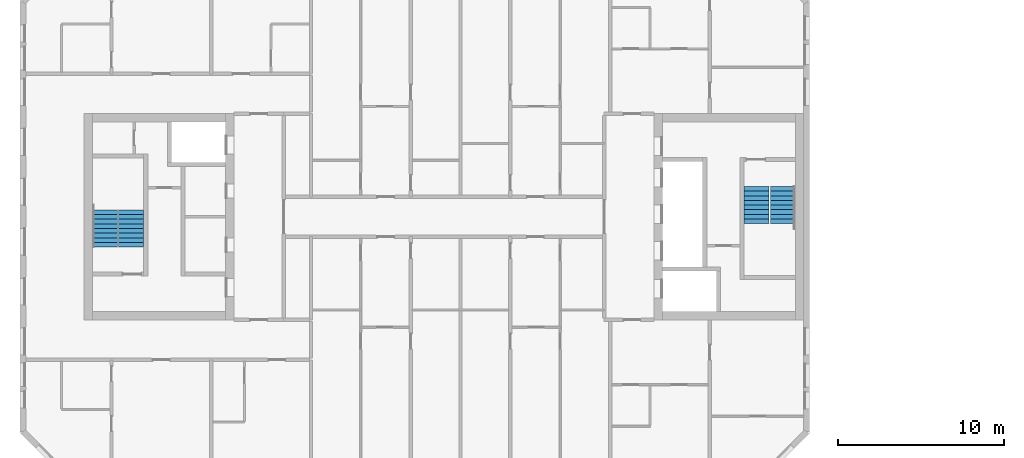
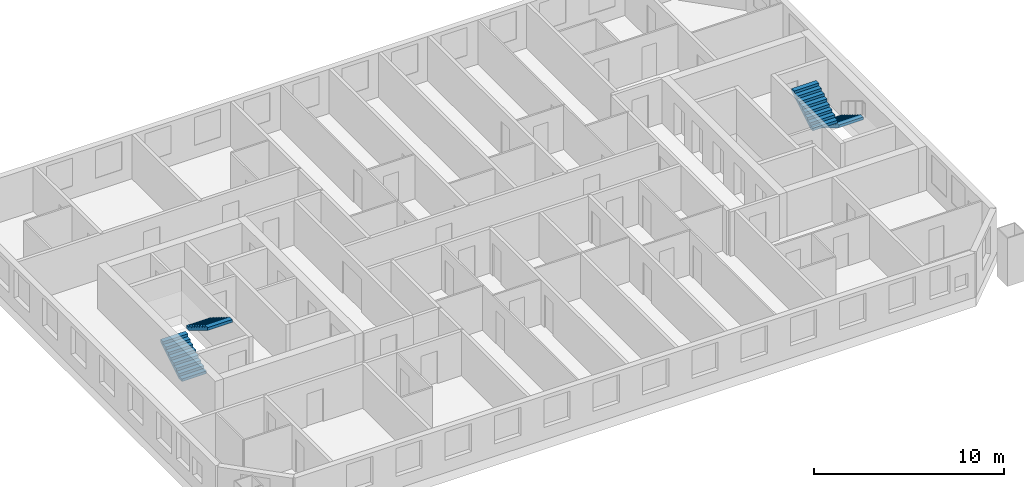
# One storey, part 14 of 15: 4 stair flights, 2 elements without a shape of their own.
"""IFC4 building model written with IfcOpenShell, lengths in metres."""

from ifc_helpers import new_model, si_unit, direction, frame, origin, place, context, subcontext, project, spatial, faceted_brep, material, type_object, element, aggregate, save


model = new_model("IFC4")

# Units and contexts
model_context = context("Model", 3, precision=1e-05, world=origin(), true_north=direction((0.0, 1.0)))
body_context = subcontext(model_context, "Body", "Model", "MODEL_VIEW")
ifc_project = project(units=[si_unit("LENGTHUNIT", "METRE"), si_unit("AREAUNIT", "SQUARE_METRE"), si_unit("VOLUMEUNIT", "CUBIC_METRE"), si_unit("PLANEANGLEUNIT", "RADIAN"), si_unit("MASSUNIT", "GRAM", prefix="KILO")], contexts=[model_context])

# Site, building, storey
site_placement = place(None, origin())
site = spatial("IfcSite", under=ifc_project, at=site_placement, CompositionType="ELEMENT")
building_placement = place(site_placement, origin())
building = spatial("IfcBuilding", under=site, at=building_placement, Name="Tuart Gate Housing", CompositionType="ELEMENT")
storey_placement = place(building_placement, frame((0.0, 0.0, 148.5)))
storey = spatial("IfcBuildingStorey", under=building, at=storey_placement, Name="L41", CompositionType="ELEMENT", Elevation=148.5)

# Stair, stair flights
ifc_material_1 = material(Name="Concrete C40", Category="concrete")
stair_type = type_object("IfcStairType", Name="Core stair 1500", PredefinedType="HALF_TURN_STAIR", material=ifc_material_1)
stair_1_placement = place(storey_placement, origin())
stair_1 = element("IfcStair", 1, at=stair_1_placement, inside=storey, type_object=stair_type, Name="Stair SA1", PredefinedType="HALF_TURN_STAIR")
ifc_material_2 = material(Name="Concrete C40", Category="concrete")
stair_flight_type = type_object("IfcStairFlightType", Name="Stair flight 1500, 9 risers 172 x 280", PredefinedType="STRAIGHT", material=ifc_material_2)
stair_flight_1_placement = place(storey_placement, frame((74.389892578125, 71.824951171875, 0.0), z_axis=(0.0, 0.0, 1.0), x_axis=(0.0, -1.0, 0.0)))
stair_flight_1 = element("IfcStairFlight", 2, at=stair_flight_1_placement, type_object=stair_flight_type, Name="SA1 flight 1", NumberOfRisers=9, NumberOfTreads=8, PredefinedType="STRAIGHT", RiserHeight=0.172222222, TreadLength=0.28, context=body_context, shape_type="Brep", body=[
    faceted_brep([(0.0, 0.75, 0.0), (0.0, 0.75, 0.172119140625), (0.280029296875, 0.75, 0.172119140625), (0.280029296875, 0.75, 0.344482421875), (0.56005859375, 0.75, 0.344482421875), (0.56005859375, 0.75, 0.5166015625), (0.840087890625, 0.75, 0.5166015625), (0.840087890625, 0.75, 0.68896484375), (1.1201171875, 0.75, 0.68896484375), (1.1201171875, 0.75, 0.861083984375), (1.39990234375, 0.75, 0.861083984375), (1.39990234375, 0.75, 1.033447265625), (1.679931640625, 0.75, 1.033447265625), (1.679931640625, 0.75, 1.20556640625), (1.9599609375, 0.75, 1.20556640625), (1.9599609375, 0.75, 1.377685546875), (2.239990234375, 0.75, 1.377685546875), (2.239990234375, 0.75, 1.201904296875), (0.2861328125, 0.75, 0.0), (0.2861328125, -0.75, 0.0), (2.239990234375, -0.75, 1.201904296875), (2.239990234375, -0.75, 1.377685546875), (1.9599609375, -0.75, 1.377685546875), (1.9599609375, -0.75, 1.20556640625), (1.679931640625, -0.75, 1.20556640625), (1.679931640625, -0.75, 1.033447265625), (1.39990234375, -0.75, 1.033447265625), (1.39990234375, -0.75, 0.861083984375), (1.1201171875, -0.75, 0.861083984375), (1.1201171875, -0.75, 0.68896484375), (0.840087890625, -0.75, 0.68896484375), (0.840087890625, -0.75, 0.5166015625), (0.56005859375, -0.75, 0.5166015625), (0.56005859375, -0.75, 0.344482421875), (0.280029296875, -0.75, 0.344482421875), (0.280029296875, -0.75, 0.172119140625), (0.0, -0.75, 0.172119140625), (0.0, -0.75, 0.0), (2.239990234375, 0.0, 1.201904296875), (0.2861328125, 0.0, 0.0), (2.239990234375, 0.0, 1.377685546875), (1.9599609375, 0.0, 1.377685546875), (1.9599609375, 0.0, 1.20556640625), (1.679931640625, 0.0, 1.20556640625), (1.679931640625, 0.0, 1.033447265625), (1.39990234375, 0.0, 1.033447265625), (1.39990234375, 0.0, 0.861083984375), (1.1201171875, 0.0, 0.861083984375), (1.1201171875, 0.0, 0.68896484375), (0.840087890625, 0.0, 0.68896484375), (0.840087890625, 0.0, 0.5166015625), (0.56005859375, 0.0, 0.5166015625), (0.56005859375, 0.0, 0.344482421875), (0.280029296875, 0.0, 0.344482421875), (0.280029296875, 0.0, 0.172119140625), (0.0, 0.0, 0.172119140625), (0.0, 0.0, 0.0)], [[[0, 1, 2, 3, 4, 5, 6, 7, 8, 9, 10, 11, 12, 13, 14, 15, 16, 17, 18]], [[19, 20, 21, 22, 23, 24, 25, 26, 27, 28, 29, 30, 31, 32, 33, 34, 35, 36, 37]], [[18, 17, 38, 39]], [[39, 38, 20, 19]], [[17, 16, 40, 38]], [[38, 40, 21, 20]], [[16, 15, 41, 40]], [[40, 41, 22, 21]], [[15, 14, 42, 41]], [[41, 42, 23, 22]], [[14, 13, 43, 42]], [[42, 43, 24, 23]], [[13, 12, 44, 43]], [[43, 44, 25, 24]], [[12, 11, 45, 44]], [[44, 45, 26, 25]], [[11, 10, 46, 45]], [[45, 46, 27, 26]], [[10, 9, 47, 46]], [[46, 47, 28, 27]], [[9, 8, 48, 47]], [[47, 48, 29, 28]], [[8, 7, 49, 48]], [[48, 49, 30, 29]], [[7, 6, 50, 49]], [[49, 50, 31, 30]], [[6, 5, 51, 50]], [[50, 51, 32, 31]], [[5, 4, 52, 51]], [[51, 52, 33, 32]], [[4, 3, 53, 52]], [[52, 53, 34, 33]], [[3, 2, 54, 53]], [[53, 54, 35, 34]], [[2, 1, 55, 54]], [[54, 55, 36, 35]], [[1, 0, 56, 55]], [[55, 56, 37, 36]], [[0, 18, 39, 56]], [[56, 39, 19, 37]]]),
])
stair_flight_2_placement = place(storey_placement, frame((72.81494140625, 69.5849609375, 1.550048828125), z_axis=(0.0, 0.0, 1.0), x_axis=(0.0, 1.0, 0.0)))
stair_flight_2 = element("IfcStairFlight", 3, at=stair_flight_2_placement, type_object=stair_flight_type, Name="SA1 flight 2", NumberOfRisers=9, NumberOfTreads=8, PredefinedType="STRAIGHT", RiserHeight=0.172222222, TreadLength=0.28, context=body_context, shape_type="Brep", body=[
    faceted_brep([(0.0, 0.75, 0.0), (0.0, 0.75, 0.172119140625), (0.280029296875, 0.75, 0.172119140625), (0.280029296875, 0.75, 0.344482421875), (0.56005859375, 0.75, 0.344482421875), (0.56005859375, 0.75, 0.5166015625), (0.840087890625, 0.75, 0.5166015625), (0.840087890625, 0.75, 0.68896484375), (1.1201171875, 0.75, 0.68896484375), (1.1201171875, 0.75, 0.861083984375), (1.39990234375, 0.75, 0.861083984375), (1.39990234375, 0.75, 1.033447265625), (1.679931640625, 0.75, 1.033447265625), (1.679931640625, 0.75, 1.20556640625), (1.9599609375, 0.75, 1.20556640625), (1.9599609375, 0.75, 1.377685546875), (2.239990234375, 0.75, 1.377685546875), (2.239990234375, 0.75, 1.201904296875), (0.2861328125, 0.75, 0.0), (0.2861328125, -0.75, 0.0), (2.239990234375, -0.75, 1.201904296875), (2.239990234375, -0.75, 1.377685546875), (1.9599609375, -0.75, 1.377685546875), (1.9599609375, -0.75, 1.20556640625), (1.679931640625, -0.75, 1.20556640625), (1.679931640625, -0.75, 1.033447265625), (1.39990234375, -0.75, 1.033447265625), (1.39990234375, -0.75, 0.861083984375), (1.1201171875, -0.75, 0.861083984375), (1.1201171875, -0.75, 0.68896484375), (0.840087890625, -0.75, 0.68896484375), (0.840087890625, -0.75, 0.5166015625), (0.56005859375, -0.75, 0.5166015625), (0.56005859375, -0.75, 0.344482421875), (0.280029296875, -0.75, 0.344482421875), (0.280029296875, -0.75, 0.172119140625), (0.0, -0.75, 0.172119140625), (0.0, -0.75, 0.0), (2.239990234375, 0.0, 1.201904296875), (0.2861328125, 0.0, 0.0), (2.239990234375, 0.0, 1.377685546875), (1.9599609375, 0.0, 1.377685546875), (1.9599609375, 0.0, 1.20556640625), (1.679931640625, 0.0, 1.20556640625), (1.679931640625, 0.0, 1.033447265625), (1.39990234375, 0.0, 1.033447265625), (1.39990234375, 0.0, 0.861083984375), (1.1201171875, 0.0, 0.861083984375), (1.1201171875, 0.0, 0.68896484375), (0.840087890625, 0.0, 0.68896484375), (0.840087890625, 0.0, 0.5166015625), (0.56005859375, 0.0, 0.5166015625), (0.56005859375, 0.0, 0.344482421875), (0.280029296875, 0.0, 0.344482421875), (0.280029296875, 0.0, 0.172119140625), (0.0, 0.0, 0.172119140625), (0.0, 0.0, 0.0)], [[[0, 1, 2, 3, 4, 5, 6, 7, 8, 9, 10, 11, 12, 13, 14, 15, 16, 17, 18]], [[19, 20, 21, 22, 23, 24, 25, 26, 27, 28, 29, 30, 31, 32, 33, 34, 35, 36, 37]], [[18, 17, 38, 39]], [[39, 38, 20, 19]], [[17, 16, 40, 38]], [[38, 40, 21, 20]], [[16, 15, 41, 40]], [[40, 41, 22, 21]], [[15, 14, 42, 41]], [[41, 42, 23, 22]], [[14, 13, 43, 42]], [[42, 43, 24, 23]], [[13, 12, 44, 43]], [[43, 44, 25, 24]], [[12, 11, 45, 44]], [[44, 45, 26, 25]], [[11, 10, 46, 45]], [[45, 46, 27, 26]], [[10, 9, 47, 46]], [[46, 47, 28, 27]], [[9, 8, 48, 47]], [[47, 48, 29, 28]], [[8, 7, 49, 48]], [[48, 49, 30, 29]], [[7, 6, 50, 49]], [[49, 50, 31, 30]], [[6, 5, 51, 50]], [[50, 51, 32, 31]], [[5, 4, 52, 51]], [[51, 52, 33, 32]], [[4, 3, 53, 52]], [[52, 53, 34, 33]], [[3, 2, 54, 53]], [[53, 54, 35, 34]], [[2, 1, 55, 54]], [[54, 55, 36, 35]], [[1, 0, 56, 55]], [[55, 56, 37, 36]], [[0, 18, 39, 56]], [[56, 39, 19, 37]]]),
])
aggregate(stair_1, [stair_flight_1, stair_flight_2])

stair_2_placement = place(storey_placement, origin())
stair_2 = element("IfcStair", 4, at=stair_2_placement, inside=storey, type_object=stair_type, Name="Stair SA2", PredefinedType="HALF_TURN_STAIR")
stair_flight_3_placement = place(storey_placement, frame((33.610107421875, 68.175048828125, 0.0), z_axis=(0.0, 0.0, 1.0), x_axis=(0.0, 1.0, 0.0)))
stair_flight_3 = element("IfcStairFlight", 5, at=stair_flight_3_placement, type_object=stair_flight_type, Name="SA2 flight 1", NumberOfRisers=9, NumberOfTreads=8, PredefinedType="STRAIGHT", RiserHeight=0.172222222, TreadLength=0.28, context=body_context, shape_type="Brep", body=[
    faceted_brep([(0.0, 0.75, 0.0), (0.0, 0.75, 0.172119140625), (0.280029296875, 0.75, 0.172119140625), (0.280029296875, 0.75, 0.344482421875), (0.56005859375, 0.75, 0.344482421875), (0.56005859375, 0.75, 0.5166015625), (0.840087890625, 0.75, 0.5166015625), (0.840087890625, 0.75, 0.68896484375), (1.1201171875, 0.75, 0.68896484375), (1.1201171875, 0.75, 0.861083984375), (1.39990234375, 0.75, 0.861083984375), (1.39990234375, 0.75, 1.033447265625), (1.679931640625, 0.75, 1.033447265625), (1.679931640625, 0.75, 1.20556640625), (1.9599609375, 0.75, 1.20556640625), (1.9599609375, 0.75, 1.377685546875), (2.239990234375, 0.75, 1.377685546875), (2.239990234375, 0.75, 1.201904296875), (0.2861328125, 0.75, 0.0), (0.2861328125, -0.75, 0.0), (2.239990234375, -0.75, 1.201904296875), (2.239990234375, -0.75, 1.377685546875), (1.9599609375, -0.75, 1.377685546875), (1.9599609375, -0.75, 1.20556640625), (1.679931640625, -0.75, 1.20556640625), (1.679931640625, -0.75, 1.033447265625), (1.39990234375, -0.75, 1.033447265625), (1.39990234375, -0.75, 0.861083984375), (1.1201171875, -0.75, 0.861083984375), (1.1201171875, -0.75, 0.68896484375), (0.840087890625, -0.75, 0.68896484375), (0.840087890625, -0.75, 0.5166015625), (0.56005859375, -0.75, 0.5166015625), (0.56005859375, -0.75, 0.344482421875), (0.280029296875, -0.75, 0.344482421875), (0.280029296875, -0.75, 0.172119140625), (0.0, -0.75, 0.172119140625), (0.0, -0.75, 0.0), (2.239990234375, 0.0, 1.201904296875), (0.2861328125, 0.0, 0.0), (2.239990234375, 0.0, 1.377685546875), (1.9599609375, 0.0, 1.377685546875), (1.9599609375, 0.0, 1.20556640625), (1.679931640625, 0.0, 1.20556640625), (1.679931640625, 0.0, 1.033447265625), (1.39990234375, 0.0, 1.033447265625), (1.39990234375, 0.0, 0.861083984375), (1.1201171875, 0.0, 0.861083984375), (1.1201171875, 0.0, 0.68896484375), (0.840087890625, 0.0, 0.68896484375), (0.840087890625, 0.0, 0.5166015625), (0.56005859375, 0.0, 0.5166015625), (0.56005859375, 0.0, 0.344482421875), (0.280029296875, 0.0, 0.344482421875), (0.280029296875, 0.0, 0.172119140625), (0.0, 0.0, 0.172119140625), (0.0, 0.0, 0.0)], [[[0, 1, 2, 3, 4, 5, 6, 7, 8, 9, 10, 11, 12, 13, 14, 15, 16, 17, 18]], [[19, 20, 21, 22, 23, 24, 25, 26, 27, 28, 29, 30, 31, 32, 33, 34, 35, 36, 37]], [[18, 17, 38, 39]], [[39, 38, 20, 19]], [[17, 16, 40, 38]], [[38, 40, 21, 20]], [[16, 15, 41, 40]], [[40, 41, 22, 21]], [[15, 14, 42, 41]], [[41, 42, 23, 22]], [[14, 13, 43, 42]], [[42, 43, 24, 23]], [[13, 12, 44, 43]], [[43, 44, 25, 24]], [[12, 11, 45, 44]], [[44, 45, 26, 25]], [[11, 10, 46, 45]], [[45, 46, 27, 26]], [[10, 9, 47, 46]], [[46, 47, 28, 27]], [[9, 8, 48, 47]], [[47, 48, 29, 28]], [[8, 7, 49, 48]], [[48, 49, 30, 29]], [[7, 6, 50, 49]], [[49, 50, 31, 30]], [[6, 5, 51, 50]], [[50, 51, 32, 31]], [[5, 4, 52, 51]], [[51, 52, 33, 32]], [[4, 3, 53, 52]], [[52, 53, 34, 33]], [[3, 2, 54, 53]], [[53, 54, 35, 34]], [[2, 1, 55, 54]], [[54, 55, 36, 35]], [[1, 0, 56, 55]], [[55, 56, 37, 36]], [[0, 18, 39, 56]], [[56, 39, 19, 37]]]),
])
stair_flight_4_placement = place(storey_placement, frame((35.18505859375, 70.4150390625, 1.550048828125), z_axis=(0.0, 0.0, 1.0), x_axis=(0.0, -1.0, 0.0)))
stair_flight_4 = element("IfcStairFlight", 6, at=stair_flight_4_placement, type_object=stair_flight_type, Name="SA2 flight 2", NumberOfRisers=9, NumberOfTreads=8, PredefinedType="STRAIGHT", RiserHeight=0.172222222, TreadLength=0.28, context=body_context, shape_type="Brep", body=[
    faceted_brep([(0.0, 0.75, 0.0), (0.0, 0.75, 0.172119140625), (0.280029296875, 0.75, 0.172119140625), (0.280029296875, 0.75, 0.344482421875), (0.56005859375, 0.75, 0.344482421875), (0.56005859375, 0.75, 0.5166015625), (0.840087890625, 0.75, 0.5166015625), (0.840087890625, 0.75, 0.68896484375), (1.1201171875, 0.75, 0.68896484375), (1.1201171875, 0.75, 0.861083984375), (1.39990234375, 0.75, 0.861083984375), (1.39990234375, 0.75, 1.033447265625), (1.679931640625, 0.75, 1.033447265625), (1.679931640625, 0.75, 1.20556640625), (1.9599609375, 0.75, 1.20556640625), (1.9599609375, 0.75, 1.377685546875), (2.239990234375, 0.75, 1.377685546875), (2.239990234375, 0.75, 1.201904296875), (0.2861328125, 0.75, 0.0), (0.2861328125, -0.75, 0.0), (2.239990234375, -0.75, 1.201904296875), (2.239990234375, -0.75, 1.377685546875), (1.9599609375, -0.75, 1.377685546875), (1.9599609375, -0.75, 1.20556640625), (1.679931640625, -0.75, 1.20556640625), (1.679931640625, -0.75, 1.033447265625), (1.39990234375, -0.75, 1.033447265625), (1.39990234375, -0.75, 0.861083984375), (1.1201171875, -0.75, 0.861083984375), (1.1201171875, -0.75, 0.68896484375), (0.840087890625, -0.75, 0.68896484375), (0.840087890625, -0.75, 0.5166015625), (0.56005859375, -0.75, 0.5166015625), (0.56005859375, -0.75, 0.344482421875), (0.280029296875, -0.75, 0.344482421875), (0.280029296875, -0.75, 0.172119140625), (0.0, -0.75, 0.172119140625), (0.0, -0.75, 0.0), (2.239990234375, 0.0, 1.201904296875), (0.2861328125, 0.0, 0.0), (2.239990234375, 0.0, 1.377685546875), (1.9599609375, 0.0, 1.377685546875), (1.9599609375, 0.0, 1.20556640625), (1.679931640625, 0.0, 1.20556640625), (1.679931640625, 0.0, 1.033447265625), (1.39990234375, 0.0, 1.033447265625), (1.39990234375, 0.0, 0.861083984375), (1.1201171875, 0.0, 0.861083984375), (1.1201171875, 0.0, 0.68896484375), (0.840087890625, 0.0, 0.68896484375), (0.840087890625, 0.0, 0.5166015625), (0.56005859375, 0.0, 0.5166015625), (0.56005859375, 0.0, 0.344482421875), (0.280029296875, 0.0, 0.344482421875), (0.280029296875, 0.0, 0.172119140625), (0.0, 0.0, 0.172119140625), (0.0, 0.0, 0.0)], [[[0, 1, 2, 3, 4, 5, 6, 7, 8, 9, 10, 11, 12, 13, 14, 15, 16, 17, 18]], [[19, 20, 21, 22, 23, 24, 25, 26, 27, 28, 29, 30, 31, 32, 33, 34, 35, 36, 37]], [[18, 17, 38, 39]], [[39, 38, 20, 19]], [[17, 16, 40, 38]], [[38, 40, 21, 20]], [[16, 15, 41, 40]], [[40, 41, 22, 21]], [[15, 14, 42, 41]], [[41, 42, 23, 22]], [[14, 13, 43, 42]], [[42, 43, 24, 23]], [[13, 12, 44, 43]], [[43, 44, 25, 24]], [[12, 11, 45, 44]], [[44, 45, 26, 25]], [[11, 10, 46, 45]], [[45, 46, 27, 26]], [[10, 9, 47, 46]], [[46, 47, 28, 27]], [[9, 8, 48, 47]], [[47, 48, 29, 28]], [[8, 7, 49, 48]], [[48, 49, 30, 29]], [[7, 6, 50, 49]], [[49, 50, 31, 30]], [[6, 5, 51, 50]], [[50, 51, 32, 31]], [[5, 4, 52, 51]], [[51, 52, 33, 32]], [[4, 3, 53, 52]], [[52, 53, 34, 33]], [[3, 2, 54, 53]], [[53, 54, 35, 34]], [[2, 1, 55, 54]], [[54, 55, 36, 35]], [[1, 0, 56, 55]], [[55, 56, 37, 36]], [[0, 18, 39, 56]], [[56, 39, 19, 37]]]),
])
aggregate(stair_2, [stair_flight_3, stair_flight_4])

save(model, "model.ifc")
